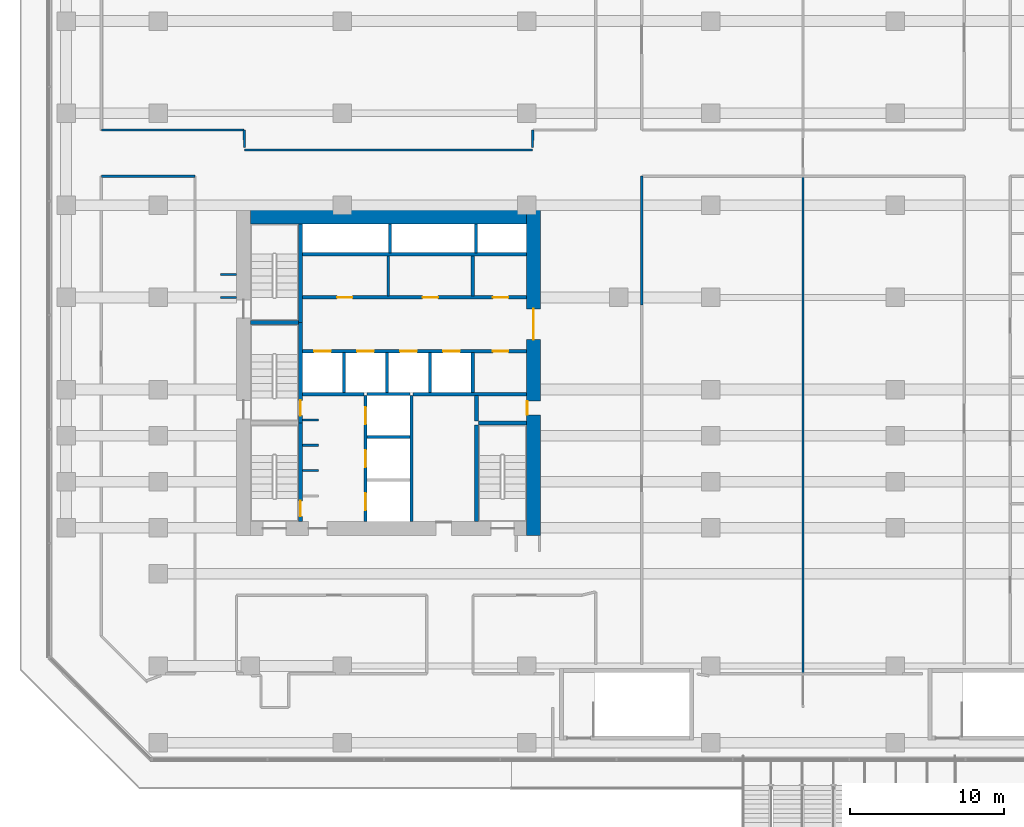
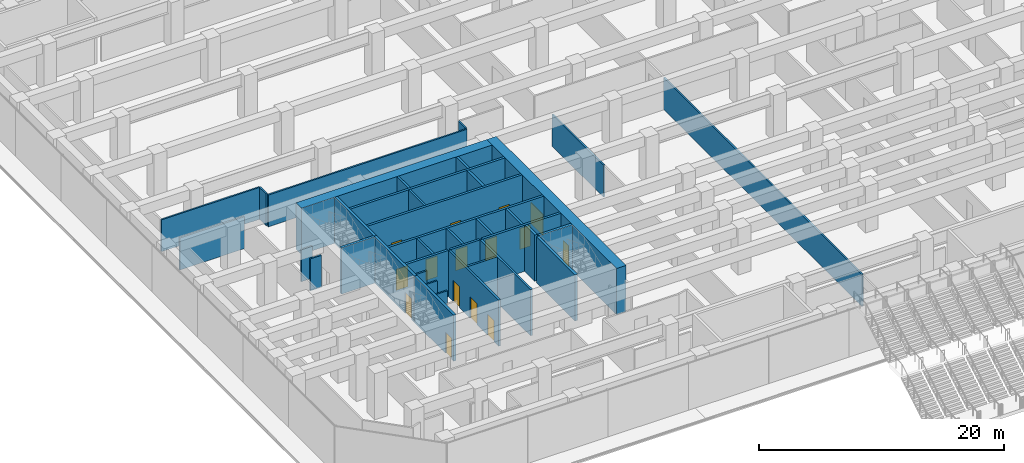
# One storey, part 28 of 40: 38 walls, 15 doors, 15 openings.
"""IFC4 building model written with IfcOpenShell, lengths in metres."""

from ifc_helpers import new_model, si_unit, direction, frame, frame_2d, origin, place, context, subcontext, project, spatial, rectangle, extrude, material, layer, layer_set, type_object, element, fill, save


model = new_model("IFC4")

# Units and contexts
model_context = context("Model", 3, precision=1e-05, world=origin(), true_north=direction((0.0, 1.0)))
body_context = subcontext(model_context, "Body", "Model", "MODEL_VIEW")
ifc_project = project(units=[si_unit("LENGTHUNIT", "METRE"), si_unit("AREAUNIT", "SQUARE_METRE"), si_unit("VOLUMEUNIT", "CUBIC_METRE"), si_unit("PLANEANGLEUNIT", "RADIAN"), si_unit("MASSUNIT", "GRAM", prefix="KILO")], contexts=[model_context])

# Site, building, storey
site_placement = place(None, origin())
site = spatial("IfcSite", under=ifc_project, at=site_placement, CompositionType="ELEMENT")
building_placement = place(site_placement, origin())
building = spatial("IfcBuilding", under=site, at=building_placement, Name="Welwitschia Terrace Campus", CompositionType="ELEMENT")
storey_placement = place(building_placement, frame((0.0, 0.0, 6.0)))
storey = spatial("IfcBuildingStorey", under=building, at=storey_placement, Name="L01", CompositionType="ELEMENT", Elevation=6.0)

# Walls
ifc_material_1 = material(Name="Concrete C32/40", Category="concrete")
ifc_layer_1 = layer(ifc_material_1, 0.175048828125)
ifc_layer_set_1 = layer_set([ifc_layer_1], Name="Concrete C32/40")
wall_type_1 = type_object("IfcWallType", Name="Core partition 175 Concrete C32/40", PredefinedType="PARTITIONING", material=ifc_layer_set_1)
wall_1_placement = place(storey_placement, frame((14.97509765625, 20.10009765625, 0.0), z_axis=(0.0, 0.0, 1.0), x_axis=(0.0, 1.0, 0.0)))
element("IfcWall", 1, at=wall_1_placement, inside=storey, type_object=wall_type_1, Name="Core partition", PredefinedType="PARTITIONING", context=body_context, shape_type="SweptSolid", body=[
    extrude(rectangle(XDim=2.599853515625, YDim=0.175048828125, at=frame_2d((1.2998046875, 0.0))), origin(), (0.0, 0.0, 1.0), 4.60009765625),
])
ifc_material_2 = material(Name="Concrete C32/40", Category="concrete")
ifc_layer_2 = layer(ifc_material_2, 0.22509765625)
ifc_layer_set_2 = layer_set([ifc_layer_2], Name="Concrete C32/40")
wall_type_2 = type_object("IfcWallType", Name="Core partition 225 Concrete C32/40", PredefinedType="PARTITIONING", material=ifc_layer_set_2)
wall_2_placement = place(storey_placement, frame((9.39990234375, 13.699951171875, 0.0), z_axis=(0.0, 0.0, 1.0), x_axis=(1.0, 0.0, 0.0)))
element("IfcWall", 2, at=wall_2_placement, inside=storey, type_object=wall_type_2, Name="Shaft wall", PredefinedType="PARTITIONING", context=body_context, shape_type="SweptSolid", body=[
    extrude(rectangle(XDim=4.0, YDim=0.22509765625, at=frame_2d((2.0, 0.0))), origin(), (0.0, 0.0, 1.0), 4.60009765625),
])
wall_3_placement = place(storey_placement, frame((16.60009765625, 13.699951171875, 0.0), z_axis=(0.0, 0.0, 1.0), x_axis=(1.0, 0.0, 0.0)))
element("IfcWall", 3, at=wall_3_placement, inside=storey, type_object=wall_type_2, Name="Shaft wall", PredefinedType="PARTITIONING", context=body_context, shape_type="SweptSolid", body=[
    extrude(rectangle(XDim=7.39990234375, YDim=0.22509765625, at=frame_2d((3.699951171875, 0.0))), origin(), (0.0, 0.0, 1.0), 4.60009765625),
])

# Wall, openings, doors
wall_4_placement = place(storey_placement, frame((9.39990234375, 16.5, 0.0), z_axis=(0.0, 0.0, 1.0), x_axis=(1.0, 0.0, 0.0)))
wall_4 = element("IfcWall", 4, at=wall_4_placement, inside=storey, type_object=wall_type_2, Name="Shaft wall", PredefinedType="PARTITIONING", context=body_context, shape_type="SweptSolid", body=[
    extrude(rectangle(XDim=14.60009765625, YDim=0.22509765625, at=frame_2d((7.300048828125, 0.0))), origin(), (0.0, 0.0, 1.0), 4.60009765625),
])
opening_1_placement = place(wall_4_placement, frame((0.75, 0.0, 0.0)))
opening_1 = element("IfcOpeningElement", 5, at=opening_1_placement, cuts=wall_4, Name="Opening LD", PredefinedType="OPENING", context=body_context, shape_type="SweptSolid", body=[
    extrude(rectangle(XDim=1.10009765625, YDim=2.10009765625, at=frame_2d((0.550048828125, 1.050048828125))), frame((0.0, 0.12255859375, 0.0), z_axis=(0.0, -1.0, 0.0), x_axis=(1.0, 0.0, 0.0)), (0.0, 0.0, 1.0), 0.2451171875),
])
opening_2_placement = place(wall_4_placement, frame((3.550048828125, 0.0, 0.0)))
opening_2 = element("IfcOpeningElement", 6, at=opening_2_placement, cuts=wall_4, Name="Opening LD", PredefinedType="OPENING", context=body_context, shape_type="SweptSolid", body=[
    extrude(rectangle(XDim=1.10009765625, YDim=2.10009765625, at=frame_2d((0.550048828125, 1.050048828125))), frame((0.0, 0.12255859375, 0.0), z_axis=(0.0, -1.0, 0.0), x_axis=(1.0, 0.0, 0.0)), (0.0, 0.0, 1.0), 0.2451171875),
])
opening_3_placement = place(wall_4_placement, frame((6.35009765625, 0.0, 0.0)))
opening_3 = element("IfcOpeningElement", 7, at=opening_3_placement, cuts=wall_4, Name="Opening LD", PredefinedType="OPENING", context=body_context, shape_type="SweptSolid", body=[
    extrude(rectangle(XDim=1.10009765625, YDim=2.10009765625, at=frame_2d((0.550048828125, 1.050048828125))), frame((0.0, 0.12255859375, 0.0), z_axis=(0.0, -1.0, 0.0), x_axis=(1.0, 0.0, 0.0)), (0.0, 0.0, 1.0), 0.2451171875),
])
opening_4_placement = place(wall_4_placement, frame((9.14990234375, 0.0, 0.0)))
opening_4 = element("IfcOpeningElement", 8, at=opening_4_placement, cuts=wall_4, Name="Opening LD", PredefinedType="OPENING", context=body_context, shape_type="SweptSolid", body=[
    extrude(rectangle(XDim=1.10009765625, YDim=2.10009765625, at=frame_2d((0.550048828125, 1.050048828125))), frame((0.0, 0.12255859375, 0.0), z_axis=(0.0, -1.0, 0.0), x_axis=(1.0, 0.0, 0.0)), (0.0, 0.0, 1.0), 0.2451171875),
])
opening_5_placement = place(wall_4_placement, frame((12.39990234375, 0.0, 0.0)))
opening_5 = element("IfcOpeningElement", 9, at=opening_5_placement, cuts=wall_4, Name="Opening DR10", PredefinedType="OPENING", context=body_context, shape_type="SweptSolid", body=[
    extrude(rectangle(XDim=1.0, YDim=2.10009765625, at=frame_2d((0.5, 1.050048828125))), frame((0.0, 0.12255859375, 0.0), z_axis=(0.0, -1.0, 0.0), x_axis=(1.0, 0.0, 0.0)), (0.0, 0.0, 1.0), 0.2451171875),
])
ifc_material_3 = material(Name="Steel S275", Category="steel")
door_type_1 = type_object("IfcDoorType", Name="Core door DR10", OperationType="SINGLE_SWING_LEFT", PredefinedType="DOOR", material=ifc_material_3)
door_1_placement = place(opening_5_placement, origin())
door_1 = element("IfcDoor", 10, at=door_1_placement, inside=storey, type_object=door_type_1, Name="Door EL-D", OperationType="SINGLE_SWING_RIGHT", OverallHeight=2.10009765625, OverallWidth=1.0, PredefinedType="DOOR", context=body_context, shape_type="SweptSolid", body=[
    extrude(rectangle(XDim=1.0, YDim=2.10009765625, at=frame_2d((0.5, 1.050048828125))), frame((0.0, 0.02490234375, 0.0), z_axis=(0.0, -1.0, 0.0), x_axis=(1.0, 0.0, 0.0)), (0.0, 0.0, 1.0), 0.050048828125),
])
fill(opening_5, door_1)
ifc_material_4 = material(Name="Stainless steel 304", Category="steel")
door_type_2 = type_object("IfcDoorType", Name="Lift landing door", OperationType="DOUBLE_DOOR_SLIDING", PredefinedType="DOOR", material=ifc_material_4)
door_2_placement = place(opening_1_placement, origin())
door_2 = element("IfcDoor", 11, at=door_2_placement, inside=storey, type_object=door_type_2, Name="Landing door LR1", OperationType="DOUBLE_DOOR_SLIDING", OverallHeight=2.10009765625, OverallWidth=1.10009765625, PredefinedType="DOOR", context=body_context, shape_type="SweptSolid", body=[
    extrude(rectangle(XDim=1.10009765625, YDim=2.10009765625, at=frame_2d((0.550048828125, 1.050048828125))), frame((0.0, 0.02490234375, 0.0), z_axis=(0.0, -1.0, 0.0), x_axis=(1.0, 0.0, 0.0)), (0.0, 0.0, 1.0), 0.050048828125),
])
fill(opening_1, door_2)
door_3_placement = place(opening_2_placement, origin())
door_3 = element("IfcDoor", 12, at=door_3_placement, inside=storey, type_object=door_type_2, Name="Landing door LR2", OperationType="DOUBLE_DOOR_SLIDING", OverallHeight=2.10009765625, OverallWidth=1.10009765625, PredefinedType="DOOR", context=body_context, shape_type="SweptSolid", body=[
    extrude(rectangle(XDim=1.10009765625, YDim=2.10009765625, at=frame_2d((0.550048828125, 1.050048828125))), frame((0.0, 0.02490234375, 0.0), z_axis=(0.0, -1.0, 0.0), x_axis=(1.0, 0.0, 0.0)), (0.0, 0.0, 1.0), 0.050048828125),
])
fill(opening_2, door_3)
door_4_placement = place(opening_3_placement, origin())
door_4 = element("IfcDoor", 13, at=door_4_placement, inside=storey, type_object=door_type_2, Name="Landing door LR3", OperationType="DOUBLE_DOOR_SLIDING", OverallHeight=2.10009765625, OverallWidth=1.10009765625, PredefinedType="DOOR", context=body_context, shape_type="SweptSolid", body=[
    extrude(rectangle(XDim=1.10009765625, YDim=2.10009765625, at=frame_2d((0.550048828125, 1.050048828125))), frame((0.0, 0.02490234375, 0.0), z_axis=(0.0, -1.0, 0.0), x_axis=(1.0, 0.0, 0.0)), (0.0, 0.0, 1.0), 0.050048828125),
])
fill(opening_3, door_4)
door_5_placement = place(opening_4_placement, origin())
door_5 = element("IfcDoor", 14, at=door_5_placement, inside=storey, type_object=door_type_2, Name="Landing door LR4", OperationType="DOUBLE_DOOR_SLIDING", OverallHeight=2.10009765625, OverallWidth=1.10009765625, PredefinedType="DOOR", context=body_context, shape_type="SweptSolid", body=[
    extrude(rectangle(XDim=1.10009765625, YDim=2.10009765625, at=frame_2d((0.550048828125, 1.050048828125))), frame((0.0, 0.02490234375, 0.0), z_axis=(0.0, -1.0, 0.0), x_axis=(1.0, 0.0, 0.0)), (0.0, 0.0, 1.0), 0.050048828125),
])
fill(opening_4, door_5)

wall_5_placement = place(storey_placement, frame((24.0, 20.0, 0.0), z_axis=(0.0, 0.0, 1.0), x_axis=(-1.0, 0.0, 0.0)))
wall_5 = element("IfcWall", 15, at=wall_5_placement, inside=storey, type_object=wall_type_2, Name="Core partition", PredefinedType="PARTITIONING", context=body_context, shape_type="SweptSolid", body=[
    extrude(rectangle(XDim=14.60009765625, YDim=0.22509765625, at=frame_2d((7.300048828125, 0.0))), origin(), (0.0, 0.0, 1.0), 4.60009765625),
])
opening_6_placement = place(wall_5_placement, frame((11.35009765625, 0.0, 0.0)))
opening_6 = element("IfcOpeningElement", 16, at=opening_6_placement, cuts=wall_5, Name="Opening DR10", PredefinedType="OPENING", context=body_context, shape_type="SweptSolid", body=[
    extrude(rectangle(XDim=1.0, YDim=2.10009765625, at=frame_2d((0.5, 1.050048828125))), frame((0.0, 0.12255859375, 0.0), z_axis=(0.0, -1.0, 0.0), x_axis=(1.0, 0.0, 0.0)), (0.0, 0.0, 1.0), 0.2451171875),
])
opening_7_placement = place(wall_5_placement, frame((5.77490234375, 0.0, 0.0)))
opening_7 = element("IfcOpeningElement", 17, at=opening_7_placement, cuts=wall_5, Name="Opening DR10", PredefinedType="OPENING", context=body_context, shape_type="SweptSolid", body=[
    extrude(rectangle(XDim=1.0, YDim=2.10009765625, at=frame_2d((0.5, 1.050048828125))), frame((0.0, 0.12255859375, 0.0), z_axis=(0.0, -1.0, 0.0), x_axis=(1.0, 0.0, 0.0)), (0.0, 0.0, 1.0), 0.2451171875),
])
opening_8_placement = place(wall_5_placement, frame((1.199951171875, 0.0, 0.0)))
opening_8 = element("IfcOpeningElement", 18, at=opening_8_placement, cuts=wall_5, Name="Opening DR10", PredefinedType="OPENING", context=body_context, shape_type="SweptSolid", body=[
    extrude(rectangle(XDim=1.0, YDim=2.10009765625, at=frame_2d((0.5, 1.050048828125))), frame((0.0, 0.12255859375, 0.0), z_axis=(0.0, -1.0, 0.0), x_axis=(1.0, 0.0, 0.0)), (0.0, 0.0, 1.0), 0.2451171875),
])
door_6_placement = place(opening_6_placement, origin())
door_6 = element("IfcDoor", 19, at=door_6_placement, inside=storey, type_object=door_type_1, Name="Door BAYH1-D", OperationType="SINGLE_SWING_RIGHT", OverallHeight=2.10009765625, OverallWidth=1.0, PredefinedType="DOOR", context=body_context, shape_type="SweptSolid", body=[
    extrude(rectangle(XDim=1.0, YDim=2.10009765625, at=frame_2d((0.5, 1.050048828125))), frame((0.0, 0.02490234375, 0.0), z_axis=(0.0, -1.0, 0.0), x_axis=(1.0, 0.0, 0.0)), (0.0, 0.0, 1.0), 0.050048828125),
])
fill(opening_6, door_6)
door_7_placement = place(opening_7_placement, origin())
door_7 = element("IfcDoor", 20, at=door_7_placement, inside=storey, type_object=door_type_1, Name="Door BAYH2-D", OperationType="SINGLE_SWING_LEFT", OverallHeight=2.10009765625, OverallWidth=1.0, PredefinedType="DOOR", context=body_context, shape_type="SweptSolid", body=[
    extrude(rectangle(XDim=1.0, YDim=2.10009765625, at=frame_2d((0.5, 1.050048828125))), frame((0.0, 0.02490234375, 0.0), z_axis=(0.0, -1.0, 0.0), x_axis=(1.0, 0.0, 0.0)), (0.0, 0.0, 1.0), 0.050048828125),
])
fill(opening_7, door_7)
door_8_placement = place(opening_8_placement, origin())
door_8 = element("IfcDoor", 21, at=door_8_placement, inside=storey, type_object=door_type_1, Name="Door EH-D", OperationType="SINGLE_SWING_LEFT", OverallHeight=2.10009765625, OverallWidth=1.0, PredefinedType="DOOR", context=body_context, shape_type="SweptSolid", body=[
    extrude(rectangle(XDim=1.0, YDim=2.10009765625, at=frame_2d((0.5, 1.050048828125))), frame((0.0, 0.02490234375, 0.0), z_axis=(0.0, -1.0, 0.0), x_axis=(1.0, 0.0, 0.0)), (0.0, 0.0, 1.0), 0.050048828125),
])
fill(opening_8, door_8)

# Walls
wall_6_placement = place(storey_placement, frame((9.39990234375, 22.800048828125, 0.0), z_axis=(0.0, 0.0, 1.0), x_axis=(1.0, 0.0, 0.0)))
element("IfcWall", 22, at=wall_6_placement, inside=storey, type_object=wall_type_2, Name="Shaft wall", PredefinedType="PARTITIONING", context=body_context, shape_type="SweptSolid", body=[
    extrude(rectangle(XDim=14.60009765625, YDim=0.22509765625, at=frame_2d((7.300048828125, 0.0))), origin(), (0.0, 0.0, 1.0), 4.60009765625),
])
for number, where, z_axis, x_axis, name in (
    (23, (20.5, 13.800048828125, 0.0), (0.0, 0.0, 1.0), (0.0, 1.0, 0.0), "Shaft wall"),
    (24, (20.5, 20.10009765625, 0.0), (0.0, 0.0, 1.0), (0.0, 1.0, 0.0), "Core partition"),
):
    element("IfcWall", number, at=place(storey_placement, frame(where, z_axis=z_axis, x_axis=x_axis)), inside=storey, type_object=wall_type_2, Name=name, PredefinedType="PARTITIONING", context=body_context, shape_type="SweptSolid", body=[
        extrude(rectangle(XDim=2.599853515625, YDim=0.22509765625, at=frame_2d((1.2998046875, 0.0))), origin(), (0.0, 0.0, 1.0), 4.60009765625),
    ])
ifc_material_5 = material(Name="Concrete C32/40", Category="concrete")
ifc_layer_3 = layer(ifc_material_5, 0.27490234375)
ifc_layer_set_3 = layer_set([ifc_layer_3], Name="Concrete C32/40")
wall_type_3 = type_object("IfcWallType", Name="Core partition 275 Concrete C32/40", PredefinedType="PARTITIONING", material=ifc_layer_set_3)
wall_7_placement = place(storey_placement, frame((20.72509765625, 11.949951171875, 0.0), z_axis=(0.0, 0.0, 1.0), x_axis=(0.0, 1.0, 0.0)))
element("IfcWall", 25, at=wall_7_placement, inside=storey, type_object=wall_type_3, Name="Core partition", PredefinedType="PARTITIONING", context=body_context, shape_type="SweptSolid", body=[
    extrude(rectangle(XDim=1.650146484375, YDim=0.27490234375, at=frame_2d((0.8251953125, 0.0))), origin(), (0.0, 0.0, 1.0), 4.60009765625),
])
ifc_material_6 = material(Name="Concrete C50/60", Category="concrete")
ifc_layer_4 = layer(ifc_material_6, 0.14990234375)
ifc_layer_set_4 = layer_set([ifc_layer_4], Name="Concrete C50/60")
wall_type_4 = type_object("IfcWallType", Name="Core wall 150 Concrete C50/60", PredefinedType="SHEAR", material=ifc_layer_set_4)
for number, where, z_axis, x_axis, name in (
    (26, (9.39990234375, 8.72509765625, 0.0), (0.0, 0.0, 1.0), (1.0, 0.0, 0.0), "Core wall"),
    (27, (9.39990234375, 10.375, 0.0), (0.0, 0.0, 1.0), (1.0, 0.0, 0.0), "Core wall"),
    (28, (9.39990234375, 12.02490234375, 0.0), (0.0, 0.0, 1.0), (1.0, 0.0, 0.0), "Core wall"),
):
    element("IfcWall", number, at=place(storey_placement, frame(where, z_axis=z_axis, x_axis=x_axis)), inside=storey, type_object=wall_type_4, Name=name, PredefinedType="SHEAR", context=body_context, shape_type="SweptSolid", body=[
        extrude(rectangle(XDim=1.050048828125, YDim=0.14990234375, at=frame_2d((0.52490234375, 0.0))), origin(), (0.0, 0.0, 1.0), 4.60009765625),
    ])
ifc_material_7 = material(Name="Concrete C50/60", Category="concrete")
ifc_layer_5 = layer(ifc_material_7, 0.199951171875)
ifc_layer_set_5 = layer_set([ifc_layer_5], Name="Concrete C50/60")
wall_type_5 = type_object("IfcWallType", Name="Core wall 200 Concrete C50/60", PredefinedType="SHEAR", material=ifc_layer_set_5)
for number, where, z_axis, x_axis, name in (
    (29, (13.60009765625, 10.89990234375, 0.0), (0.0, 0.0, 1.0), (1.0, 0.0, 0.0), "Core wall"),
    (30, (13.60009765625, 13.699951171875, 0.0), (0.0, 0.0, 1.0), (1.0, 0.0, 0.0), "Core wall"),
):
    element("IfcWall", number, at=place(storey_placement, frame(where, z_axis=z_axis, x_axis=x_axis)), inside=storey, type_object=wall_type_5, Name=name, PredefinedType="SHEAR", context=body_context, shape_type="SweptSolid", body=[
        extrude(rectangle(XDim=2.7998046875, YDim=0.199951171875, at=frame_2d((1.39990234375, 0.0))), origin(), (0.0, 0.0, 1.0), 4.60009765625),
    ])

# Wall, openings, doors
wall_8_placement = place(storey_placement, frame((13.5, 5.39990234375, 0.0), z_axis=(0.0, 0.0, 1.0), x_axis=(0.0, 1.0, 0.0)))
wall_8 = element("IfcWall", 31, at=wall_8_placement, inside=storey, type_object=wall_type_5, Name="Core wall", PredefinedType="SHEAR", context=body_context, shape_type="SweptSolid", body=[
    extrude(rectangle(XDim=8.2001953125, YDim=0.199951171875, at=frame_2d((4.10009765625, 0.0))), origin(), (0.0, 0.0, 1.0), 4.60009765625),
])
opening_9_placement = place(wall_8_placement, frame((0.75, 0.0, 0.0)))
opening_9 = element("IfcOpeningElement", 32, at=opening_9_placement, cuts=wall_8, Name="Opening LD", PredefinedType="OPENING", context=body_context, shape_type="SweptSolid", body=[
    extrude(rectangle(XDim=1.10009765625, YDim=2.10009765625, at=frame_2d((0.550048828125, 1.050048828125))), frame((0.0, 0.10986328125, 0.0), z_axis=(0.0, -1.0, 0.0), x_axis=(1.0, 0.0, 0.0)), (0.0, 0.0, 1.0), 0.219970703125),
])
opening_10_placement = place(wall_8_placement, frame((3.550048828125, 0.0, 0.0)))
opening_10 = element("IfcOpeningElement", 33, at=opening_10_placement, cuts=wall_8, Name="Opening LD", PredefinedType="OPENING", context=body_context, shape_type="SweptSolid", body=[
    extrude(rectangle(XDim=1.10009765625, YDim=2.10009765625, at=frame_2d((0.550048828125, 1.050048828125))), frame((0.0, 0.10986328125, 0.0), z_axis=(0.0, -1.0, 0.0), x_axis=(1.0, 0.0, 0.0)), (0.0, 0.0, 1.0), 0.219970703125),
])
opening_11_placement = place(wall_8_placement, frame((6.35009765625, 0.0, 0.0)))
opening_11 = element("IfcOpeningElement", 34, at=opening_11_placement, cuts=wall_8, Name="Opening LD", PredefinedType="OPENING", context=body_context, shape_type="SweptSolid", body=[
    extrude(rectangle(XDim=1.10009765625, YDim=2.10009765625, at=frame_2d((0.550048828125, 1.050048828125))), frame((0.0, 0.10986328125, 0.0), z_axis=(0.0, -1.0, 0.0), x_axis=(1.0, 0.0, 0.0)), (0.0, 0.0, 1.0), 0.219970703125),
])
door_9_placement = place(opening_9_placement, origin())
door_9 = element("IfcDoor", 35, at=door_9_placement, inside=storey, type_object=door_type_2, Name="Landing door FF1", OperationType="DOUBLE_DOOR_SLIDING", OverallHeight=2.10009765625, OverallWidth=1.10009765625, PredefinedType="DOOR", context=body_context, shape_type="SweptSolid", body=[
    extrude(rectangle(XDim=1.10009765625, YDim=2.10009765625, at=frame_2d((0.550048828125, 1.050048828125))), frame((0.0, 0.02490234375, 0.0), z_axis=(0.0, -1.0, 0.0), x_axis=(1.0, 0.0, 0.0)), (0.0, 0.0, 1.0), 0.050048828125),
])
fill(opening_9, door_9)
door_10_placement = place(opening_10_placement, origin())
door_10 = element("IfcDoor", 36, at=door_10_placement, inside=storey, type_object=door_type_2, Name="Landing door FF2", OperationType="DOUBLE_DOOR_SLIDING", OverallHeight=2.10009765625, OverallWidth=1.10009765625, PredefinedType="DOOR", context=body_context, shape_type="SweptSolid", body=[
    extrude(rectangle(XDim=1.10009765625, YDim=2.10009765625, at=frame_2d((0.550048828125, 1.050048828125))), frame((0.0, 0.02490234375, 0.0), z_axis=(0.0, -1.0, 0.0), x_axis=(1.0, 0.0, 0.0)), (0.0, 0.0, 1.0), 0.050048828125),
])
fill(opening_10, door_10)
door_11_placement = place(opening_11_placement, origin())
door_11 = element("IfcDoor", 37, at=door_11_placement, inside=storey, type_object=door_type_2, Name="Landing door SV1", OperationType="DOUBLE_DOOR_SLIDING", OverallHeight=2.10009765625, OverallWidth=1.10009765625, PredefinedType="DOOR", context=body_context, shape_type="SweptSolid", body=[
    extrude(rectangle(XDim=1.10009765625, YDim=2.10009765625, at=frame_2d((0.550048828125, 1.050048828125))), frame((0.0, 0.02490234375, 0.0), z_axis=(0.0, -1.0, 0.0), x_axis=(1.0, 0.0, 0.0)), (0.0, 0.0, 1.0), 0.050048828125),
])
fill(opening_11, door_11)

# Walls
wall_9_placement = place(storey_placement, frame((15.10009765625, 22.89990234375, 0.0), z_axis=(0.0, 0.0, 1.0), x_axis=(0.0, 1.0, 0.0)))
element("IfcWall", 38, at=wall_9_placement, inside=storey, type_object=wall_type_5, Name="Core wall", PredefinedType="SHEAR", context=body_context, shape_type="SweptSolid", body=[
    extrude(rectangle(XDim=1.900146484375, YDim=0.199951171875, at=frame_2d((0.9501953125, 0.0))), origin(), (0.0, 0.0, 1.0), 4.60009765625),
])
wall_10_placement = place(storey_placement, frame((16.5, 5.39990234375, 0.0), z_axis=(0.0, 0.0, 1.0), x_axis=(0.0, 1.0, 0.0)))
element("IfcWall", 39, at=wall_10_placement, inside=storey, type_object=wall_type_5, Name="Core wall", PredefinedType="SHEAR", context=body_context, shape_type="SweptSolid", body=[
    extrude(rectangle(XDim=8.2001953125, YDim=0.199951171875, at=frame_2d((4.10009765625, 0.0))), origin(), (0.0, 0.0, 1.0), 4.60009765625),
])
wall_11_placement = place(storey_placement, frame((20.699951171875, 22.89990234375, 0.0), z_axis=(0.0, 0.0, 1.0), x_axis=(0.0, 1.0, 0.0)))
element("IfcWall", 40, at=wall_11_placement, inside=storey, type_object=wall_type_5, Name="Core wall", PredefinedType="SHEAR", context=body_context, shape_type="SweptSolid", body=[
    extrude(rectangle(XDim=1.900146484375, YDim=0.199951171875, at=frame_2d((0.9501953125, 0.0))), origin(), (0.0, 0.0, 1.0), 4.60009765625),
])
ifc_material_8 = material(Name="Concrete C50/60", Category="concrete")
ifc_layer_6 = layer(ifc_material_8, 0.25)
ifc_layer_set_6 = layer_set([ifc_layer_6], Name="Concrete C50/60")
wall_type_6 = type_object("IfcWallType", Name="Core wall 250 Concrete C50/60", PredefinedType="SHEAR", material=ifc_layer_set_6)
for number, where, z_axis, x_axis, name in (
    (41, (20.85009765625, 11.824951171875, 0.0), (0.0, 0.0, 1.0), (1.0, 0.0, 0.0), "Core wall"),
    (42, (6.0, 18.375, 0.0), (0.0, 0.0, 1.0), (1.0, 0.0, 0.0), "Core wall"),
):
    element("IfcWall", number, at=place(storey_placement, frame(where, z_axis=z_axis, x_axis=x_axis)), inside=storey, type_object=wall_type_6, Name=name, PredefinedType="SHEAR", context=body_context, shape_type="SweptSolid", body=[
        extrude(rectangle(XDim=3.14990234375, YDim=0.25, at=frame_2d((1.574951171875, 0.0))), origin(), (0.0, 0.0, 1.0), 4.60009765625),
    ])

# Wall, opening, door
wall_12_placement = place(storey_placement, frame((9.27490234375, 11.824951171875, 0.0), z_axis=(0.0, 0.0, 1.0), x_axis=(0.0, -1.0, 0.0)))
wall_12 = element("IfcWall", 43, at=wall_12_placement, inside=storey, type_object=wall_type_6, Name="Core wall", PredefinedType="SHEAR", context=body_context, shape_type="SweptSolid", body=[
    extrude(rectangle(XDim=6.425048828125, YDim=0.25, at=frame_2d((3.21240234375, 0.0))), origin(), (0.0, 0.0, 1.0), 4.60009765625),
])
opening_12_placement = place(wall_12_placement, frame((5.074951171875, 0.0, 0.0)))
opening_12 = element("IfcOpeningElement", 44, at=opening_12_placement, cuts=wall_12, Name="Opening DS10", PredefinedType="OPENING", context=body_context, shape_type="SweptSolid", body=[
    extrude(rectangle(XDim=1.0, YDim=2.10009765625, at=frame_2d((0.5, 1.050048828125))), frame((0.0, 0.135009765625, 0.0), z_axis=(0.0, -1.0, 0.0), x_axis=(1.0, 0.0, 0.0)), (0.0, 0.0, 1.0), 0.27001953125),
])
ifc_material_9 = material(Name="Steel S275", Category="steel")
door_type_3 = type_object("IfcDoorType", Name="Core door DS10", OperationType="SINGLE_SWING_LEFT", PredefinedType="DOOR", material=ifc_material_9)
door_12_placement = place(opening_12_placement, origin())
door_12 = element("IfcDoor", 45, at=door_12_placement, inside=storey, type_object=door_type_3, Name="Door S1-FL", OperationType="SINGLE_SWING_RIGHT", OverallHeight=2.10009765625, OverallWidth=1.0, PredefinedType="DOOR", context=body_context, shape_type="SweptSolid", body=[
    extrude(rectangle(XDim=1.0, YDim=2.10009765625, at=frame_2d((0.5, 1.050048828125))), frame((0.0, 0.02490234375, 0.0), z_axis=(0.0, -1.0, 0.0), x_axis=(1.0, 0.0, 0.0)), (0.0, 0.0, 1.0), 0.050048828125),
])
fill(opening_12, door_12)

wall_13_placement = place(storey_placement, frame((9.27490234375, 18.375, 0.0), z_axis=(0.0, 0.0, 1.0), x_axis=(0.0, -1.0, 0.0)))
wall_13 = element("IfcWall", 46, at=wall_13_placement, inside=storey, type_object=wall_type_6, Name="Core wall", PredefinedType="SHEAR", context=body_context, shape_type="SweptSolid", body=[
    extrude(rectangle(XDim=6.550048828125, YDim=0.25, at=frame_2d((3.27490234375, 0.0))), origin(), (0.0, 0.0, 1.0), 4.60009765625),
])
opening_13_placement = place(wall_13_placement, frame((5.074951171875, 0.0, 0.0)))
opening_13 = element("IfcOpeningElement", 47, at=opening_13_placement, cuts=wall_13, Name="Opening DS10", PredefinedType="OPENING", context=body_context, shape_type="SweptSolid", body=[
    extrude(rectangle(XDim=1.0, YDim=2.10009765625, at=frame_2d((0.5, 1.050048828125))), frame((0.0, 0.135009765625, 0.0), z_axis=(0.0, -1.0, 0.0), x_axis=(1.0, 0.0, 0.0)), (0.0, 0.0, 1.0), 0.27001953125),
])
door_13_placement = place(opening_13_placement, origin())
door_13 = element("IfcDoor", 48, at=door_13_placement, inside=storey, type_object=door_type_3, Name="Door S3-FL", OperationType="SINGLE_SWING_RIGHT", OverallHeight=2.10009765625, OverallWidth=1.0, PredefinedType="DOOR", context=body_context, shape_type="SweptSolid", body=[
    extrude(rectangle(XDim=1.0, YDim=2.10009765625, at=frame_2d((0.5, 1.050048828125))), frame((0.0, 0.02490234375, 0.0), z_axis=(0.0, -1.0, 0.0), x_axis=(1.0, 0.0, 0.0)), (0.0, 0.0, 1.0), 0.050048828125),
])
fill(opening_13, door_13)

# Walls
wall_14_placement = place(storey_placement, frame((9.27490234375, 18.375, 0.0), z_axis=(0.0, 0.0, 1.0), x_axis=(0.0, 1.0, 0.0)))
element("IfcWall", 49, at=wall_14_placement, inside=storey, type_object=wall_type_6, Name="Core wall", PredefinedType="SHEAR", context=body_context, shape_type="SweptSolid", body=[
    extrude(rectangle(XDim=6.425048828125, YDim=0.25, at=frame_2d((3.21240234375, 0.0))), origin(), (0.0, 0.0, 1.0), 4.60009765625),
])
wall_15_placement = place(storey_placement, frame((20.72509765625, 5.39990234375, 0.0), z_axis=(0.0, 0.0, 1.0), x_axis=(0.0, 1.0, 0.0)))
element("IfcWall", 50, at=wall_15_placement, inside=storey, type_object=wall_type_6, Name="Core wall", PredefinedType="SHEAR", context=body_context, shape_type="SweptSolid", body=[
    extrude(rectangle(XDim=6.300048828125, YDim=0.25, at=frame_2d((3.14990234375, 0.0))), origin(), (0.0, 0.0, 1.0), 4.60009765625),
])

# Wall, openings, doors
ifc_material_10 = material(Name="Concrete C70/85", Category="concrete")
ifc_layer_7 = layer(ifc_material_10, 0.89990234375)
ifc_layer_set_7 = layer_set([ifc_layer_7], Name="Concrete C70/85")
wall_type_7 = type_object("IfcWallType", Name="Core wall 900 Concrete C70/85", PredefinedType="SHEAR", material=ifc_layer_set_7)
wall_16_placement = place(storey_placement, frame((24.449951171875, 25.699951171875, 0.0), z_axis=(0.0, 0.0, 1.0), x_axis=(0.0, -1.0, 0.0)))
wall_16 = element("IfcWall", 51, at=wall_16_placement, inside=storey, type_object=wall_type_7, Name="Core outer wall", PredefinedType="SHEAR", context=body_context, shape_type="SweptSolid", body=[
    extrude(rectangle(XDim=21.199951171875, YDim=0.89990234375, at=frame_2d((10.60009765625, 0.0))), origin(), (0.0, 0.0, 1.0), 4.60009765625),
])
opening_14_placement = place(wall_16_placement, frame((12.449951171875, 0.0, 0.0)))
opening_14 = element("IfcOpeningElement", 52, at=opening_14_placement, cuts=wall_16, Name="Opening DR09", PredefinedType="OPENING", context=body_context, shape_type="SweptSolid", body=[
    extrude(rectangle(XDim=0.89990234375, YDim=2.10009765625, at=frame_2d((0.449951171875, 1.050048828125))), frame((0.0, 0.4599609375, 0.0), z_axis=(0.0, -1.0, 0.0), x_axis=(1.0, 0.0, 0.0)), (0.0, 0.0, 1.0), 0.919921875),
])
opening_15_placement = place(wall_16_placement, frame((6.449951171875, 0.0, 0.0)))
opening_15 = element("IfcOpeningElement", 53, at=opening_15_placement, cuts=wall_16, Name="Opening DL20", PredefinedType="OPENING", context=body_context, shape_type="SweptSolid", body=[
    extrude(rectangle(XDim=2.0, YDim=2.10009765625, at=frame_2d((1.0, 1.050048828125))), frame((0.0, 0.4599609375, 0.0), z_axis=(0.0, -1.0, 0.0), x_axis=(1.0, 0.0, 0.0)), (0.0, 0.0, 1.0), 0.919921875),
])
ifc_material_11 = material(Name="Steel S275", Category="steel")
door_type_4 = type_object("IfcDoorType", Name="Core door DL20", OperationType="DOUBLE_DOOR_SINGLE_SWING", PredefinedType="DOOR", material=ifc_material_11)
door_14_placement = place(opening_15_placement, origin())
door_14 = element("IfcDoor", 54, at=door_14_placement, inside=storey, type_object=door_type_4, Name="Door LOBBY-out", OperationType="DOUBLE_DOOR_SINGLE_SWING", OverallHeight=2.10009765625, OverallWidth=2.0, PredefinedType="DOOR", context=body_context, shape_type="SweptSolid", body=[
    extrude(rectangle(XDim=2.0, YDim=2.10009765625, at=frame_2d((1.0, 1.050048828125))), frame((0.0, 0.02490234375, 0.0), z_axis=(0.0, -1.0, 0.0), x_axis=(1.0, 0.0, 0.0)), (0.0, 0.0, 1.0), 0.050048828125),
])
fill(opening_15, door_14)
ifc_material_12 = material(Name="Steel S275", Category="steel")
door_type_5 = type_object("IfcDoorType", Name="Core door DR09", OperationType="SINGLE_SWING_LEFT", PredefinedType="DOOR", material=ifc_material_12)
door_15_placement = place(opening_14_placement, origin())
door_15 = element("IfcDoor", 55, at=door_15_placement, inside=storey, type_object=door_type_5, Name="Door F1B-out", OperationType="SINGLE_SWING_RIGHT", OverallHeight=2.10009765625, OverallWidth=0.89990234375, PredefinedType="DOOR", context=body_context, shape_type="SweptSolid", body=[
    extrude(rectangle(XDim=0.89990234375, YDim=2.10009765625, at=frame_2d((0.449951171875, 1.050048828125))), frame((0.0, -0.39013671875, 0.0), z_axis=(0.0, -1.0, 0.0), x_axis=(1.0, 0.0, 0.0)), (0.0, 0.0, 1.0), 0.050048828125),
])
fill(opening_14, door_15)

# Walls
wall_17_placement = place(storey_placement, frame((6.0, 25.25, 0.0), z_axis=(0.0, 0.0, 1.0), x_axis=(1.0, 0.0, 0.0)))
element("IfcWall", 56, at=wall_17_placement, inside=storey, type_object=wall_type_7, Name="Core outer wall", PredefinedType="SHEAR", context=body_context, shape_type="SweptSolid", body=[
    extrude(rectangle(XDim=18.0, YDim=0.89990234375, at=frame_2d((9.0, 0.0))), origin(), (0.0, 0.0, 1.0), 4.60009765625),
])
ifc_material_13 = material(Name="Gypsum board on steel studs", Category="steel")
ifc_layer_8 = layer(ifc_material_13, 0.14990234375)
ifc_layer_set_8 = layer_set([ifc_layer_8], Name="Gypsum board on steel studs")
wall_type_8 = type_object("IfcWallType", Name="Corridor partition 150 EI 30", PredefinedType="PARTITIONING", material=ifc_layer_set_8)
wall_18_placement = place(storey_placement, frame((-3.699951171875, 27.89990234375, 0.0), z_axis=(0.0, 0.0, 1.0), x_axis=(1.0, 0.0, 0.0)))
element("IfcWall", 57, at=wall_18_placement, inside=storey, type_object=wall_type_8, Name="Partition", PredefinedType="PARTITIONING", context=body_context, shape_type="SweptSolid", body=[
    extrude(rectangle(XDim=6.099853515625, YDim=0.14990234375, at=frame_2d((3.0498046875, 0.0))), origin(), (0.0, 0.0, 1.0), 3.179931640625),
])
wall_19_placement = place(storey_placement, frame((-3.699951171875, 30.89990234375, 0.0), z_axis=(0.0, 0.0, 1.0), x_axis=(1.0, 0.0, 0.0)))
element("IfcWall", 58, at=wall_19_placement, inside=storey, type_object=wall_type_8, Name="Partition", PredefinedType="PARTITIONING", context=body_context, shape_type="SweptSolid", body=[
    extrude(rectangle(XDim=9.300048828125, YDim=0.14990234375, at=frame_2d((4.64990234375, 0.0))), origin(), (0.0, 0.0, 1.0), 3.179931640625),
])
for number, where, z_axis, x_axis, name in (
    (59, (4.050048828125, 20.0, 0.0), (0.0, 0.0, 1.0), (1.0, 0.0, 0.0), "Partition"),
    (60, (4.050048828125, 21.5, 0.0), (0.0, 0.0, 1.0), (1.0, 0.0, 0.0), "Partition"),
):
    element("IfcWall", number, at=place(storey_placement, frame(where, z_axis=z_axis, x_axis=x_axis)), inside=storey, type_object=wall_type_8, Name=name, PredefinedType="PARTITIONING", context=body_context, shape_type="SweptSolid", body=[
        extrude(rectangle(XDim=1.050048828125, YDim=0.14990234375, at=frame_2d((0.52490234375, 0.0))), origin(), (0.0, 0.0, 1.0), 3.179931640625),
    ])
wall_20_placement = place(storey_placement, frame((5.60009765625, 30.89990234375, 0.0), z_axis=(0.0, 0.0, 1.0), x_axis=(0.022906193834, -0.99973761872, 0.0)))
element("IfcWall", 61, at=wall_20_placement, inside=storey, type_object=wall_type_8, Name="Partition", PredefinedType="PARTITIONING", context=body_context, shape_type="SweptSolid", body=[
    extrude(rectangle(XDim=1.140380859375, YDim=0.14990234375, at=frame_2d((0.5703125, 0.0))), origin(), (0.0, 0.0, 1.0), 3.179931640625),
])
wall_21_placement = place(storey_placement, frame((5.6298828125, 29.60009765625, 0.0), z_axis=(0.0, 0.0, 1.0), x_axis=(1.0, 0.0, 0.0)))
element("IfcWall", 62, at=wall_21_placement, inside=storey, type_object=wall_type_8, Name="Partition", PredefinedType="PARTITIONING", context=body_context, shape_type="SweptSolid", body=[
    extrude(rectangle(XDim=18.740234375, YDim=0.14990234375, at=frame_2d((9.3701171875, 0.0))), origin(), (0.0, 0.0, 1.0), 3.179931640625),
])
wall_22_placement = place(storey_placement, frame((24.373779296875, 29.759765625, 0.0), z_axis=(0.0, 0.0, 1.0), x_axis=(0.022906193834, 0.99973761872, 0.0)))
element("IfcWall", 63, at=wall_22_placement, inside=storey, type_object=wall_type_8, Name="Partition", PredefinedType="PARTITIONING", context=body_context, shape_type="SweptSolid", body=[
    extrude(rectangle(XDim=1.140380859375, YDim=0.14990234375, at=frame_2d((0.5703125, 0.0))), origin(), (0.0, 0.0, 1.0), 3.179931640625),
])
wall_23_placement = place(storey_placement, frame((31.5, 19.52001953125, 0.0), z_axis=(0.0, 0.0, 1.0), x_axis=(0.0, 1.0, 0.0)))
element("IfcWall", 64, at=wall_23_placement, inside=storey, type_object=wall_type_8, Name="Partition", PredefinedType="PARTITIONING", context=body_context, shape_type="SweptSolid", body=[
    extrude(rectangle(XDim=8.3798828125, YDim=0.14990234375, at=frame_2d((4.18994140625, 0.0))), origin(), (0.0, 0.0, 1.0), 3.179931640625),
])
wall_24_placement = place(storey_placement, frame((42.0, -4.5, 0.0), z_axis=(0.0, 0.0, 1.0), x_axis=(0.0, 1.0, 0.0)))
element("IfcWall", 65, at=wall_24_placement, inside=storey, type_object=wall_type_8, Name="Partition", PredefinedType="PARTITIONING", context=body_context, shape_type="SweptSolid", body=[
    extrude(rectangle(XDim=32.39990234375, YDim=0.14990234375, at=frame_2d((16.199951171875, 0.0))), origin(), (0.0, 0.0, 1.0), 3.179931640625),
])
ifc_material_14 = material(Name="Concrete C32/40", Category="concrete")
ifc_layer_9 = layer(ifc_material_14, 0.199951171875)
ifc_layer_set_9 = layer_set([ifc_layer_9], Name="Concrete C32/40")
wall_type_9 = type_object("IfcWallType", Name="Shaft wall 200 Concrete C32/40", PredefinedType="SOLIDWALL", material=ifc_layer_set_9)
for number, where, z_axis, x_axis, name in (
    (66, (12.10009765625, 13.800048828125, 0.0), (0.0, 0.0, 1.0), (0.0, 1.0, 0.0), "Shaft wall"),
    (67, (14.89990234375, 13.800048828125, 0.0), (0.0, 0.0, 1.0), (0.0, 1.0, 0.0), "Shaft wall"),
    (68, (17.699951171875, 13.800048828125, 0.0), (0.0, 0.0, 1.0), (0.0, 1.0, 0.0), "Shaft wall"),
):
    element("IfcWall", number, at=place(storey_placement, frame(where, z_axis=z_axis, x_axis=x_axis)), inside=storey, type_object=wall_type_9, Name=name, PredefinedType="SOLIDWALL", context=body_context, shape_type="SweptSolid", body=[
        extrude(rectangle(XDim=2.599853515625, YDim=0.199951171875, at=frame_2d((1.2998046875, 0.0))), origin(), (0.0, 0.0, 1.0), 4.60009765625),
    ])

save(model, "model.ifc")
